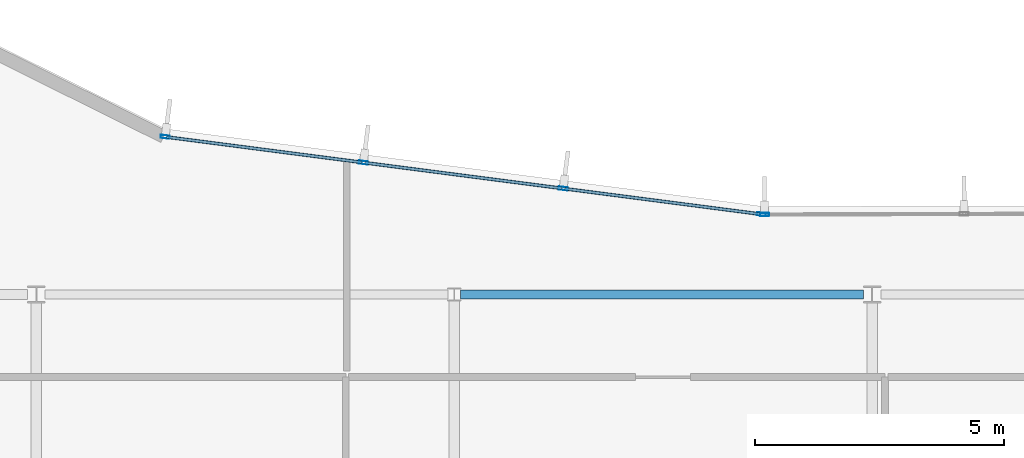
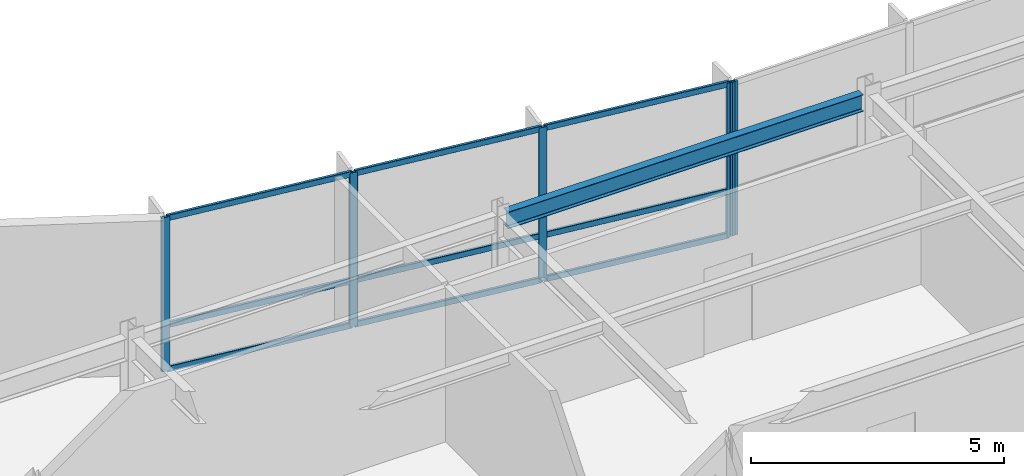
# One storey, part 6 of 15: 14 members, 1 beam, 2 elements without a shape of their own.
"""IFC4 building model written with IfcOpenShell, lengths in metres."""

import ifcopenshell
import ifcopenshell.guid

model = None  # the IFC model being written
_history = None  # IfcOwnerHistory: only IFC2X3 demands one
_inside = {}  # id of a spatial element -> (the spatial element, [elements in it])
_under = {}  # id of a project, library or spatial element -> (it, [spatial elements below it])
_declared = {}  # id of a project -> (the project, [libraries it declares])
_typed = {}  # id of a type object -> (the type object, [elements of that type])
_made_of = {}  # id of a material, layer set ... -> (it, [elements and type objects made of it])


def new_model(schema):
    """Start an empty IFC model of exactly this schema.

    Asked for "IFC4X3", IfcOpenShell would pick the latest addendum, in which some entities
    have other attributes; the version numbers below select the first issue.
    IFC2X3 requires an IfcOwnerHistory on every rooted entity: one is made here for all.
    """
    global model, _history
    if schema == "IFC4X3":
        model = ifcopenshell.file(schema_version=(4, 3, 0, 0))
    else:
        model = ifcopenshell.file(schema=schema)
    _inside.clear()
    _under.clear()
    _declared.clear()
    _typed.clear()
    _made_of.clear()
    _history = None
    if model.schema == "IFC2X3":
        org = make("IfcOrganization", Name="unknown")
        user = make(
            "IfcPersonAndOrganization",
            ThePerson=make("IfcPerson", FamilyName="unknown"),
            TheOrganization=org,
        )
        app = make(
            "IfcApplication",
            ApplicationDeveloper=org,
            Version="unknown",
            ApplicationFullName="unknown",
            ApplicationIdentifier="unknown",
        )
        _history = make(
            "IfcOwnerHistory",
            OwningUser=user,
            OwningApplication=app,
            ChangeAction="ADDED",
            CreationDate=0,
        )
    return model


def make(cls, **values):
    """One entity of the class cls with the attributes given. An attribute that is None is left unset."""
    return model.create_entity(
        cls, **{name: value for name, value in values.items() if value is not None}
    )


def rooted(cls, **values):
    """An entity with a GlobalId (a new one), such as an element, a storey or a relation."""
    return make(cls, GlobalId=ifcopenshell.guid.new(), OwnerHistory=_history, **values)


def si_unit(unit_type, name, prefix=None):
    """IfcSIUnit, for example si_unit("LENGTHUNIT", "METRE", prefix="MILLI")."""
    return make("IfcSIUnit", UnitType=unit_type, Prefix=prefix, Name=name)


def assignment(units):
    """IfcUnitAssignment: the units of a project."""
    return None if units is None else make("IfcUnitAssignment", Units=units)


def point(xyz):
    """IfcCartesianPoint."""
    return None if xyz is None else make("IfcCartesianPoint", Coordinates=xyz)


def direction(xyz):
    """IfcDirection."""
    return None if xyz is None else make("IfcDirection", DirectionRatios=xyz)


def frame(location, z_axis=None, x_axis=None):
    """IfcAxis2Placement3D, a coordinate frame: its origin and axes. An axis left out is left unset."""
    return make(
        "IfcAxis2Placement3D",
        Location=point(location),
        Axis=direction(z_axis),
        RefDirection=direction(x_axis),
    )


def frame_2d(location, x_axis=None):
    """IfcAxis2Placement2D, a coordinate frame in the plane: its origin and x axis."""
    return make(
        "IfcAxis2Placement2D", Location=point(location), RefDirection=direction(x_axis)
    )


def origin():
    """The frame at (0, 0, 0) with its axes left unset."""
    return frame((0.0, 0.0, 0.0))


def origin_2d():
    """The frame at (0, 0) in the plane with its x axis left unset."""
    return frame_2d((0.0, 0.0))


def place(relative_to, where):
    """IfcLocalPlacement: puts the frame where relative to a parent placement (None: the world)."""
    return make(
        "IfcLocalPlacement", PlacementRelTo=relative_to, RelativePlacement=where
    )


def context(
    kind, dimensions, precision=None, world=None, true_north=None, identifier=None
):
    """IfcGeometricRepresentationContext, for example the 3D "Model" context."""
    return make(
        "IfcGeometricRepresentationContext",
        ContextIdentifier=identifier,
        ContextType=kind,
        CoordinateSpaceDimension=dimensions,
        Precision=precision,
        WorldCoordinateSystem=world,
        TrueNorth=true_north,
    )


def subcontext(parent, identifier, kind, view, scale=None):
    """IfcGeometricRepresentationSubContext, for example "Body" below "Model"."""
    return make(
        "IfcGeometricRepresentationSubContext",
        ContextIdentifier=identifier,
        ContextType=kind,
        ParentContext=parent,
        TargetScale=scale,
        TargetView=view,
    )


def project(units=None, contexts=None):
    """IfcProject with its units and contexts."""
    return rooted(
        "IfcProject",
        Name="project",
        RepresentationContexts=contexts,
        UnitsInContext=assignment(units),
    )


def spatial(cls, under=None, at=None, **own):
    """A site, building, storey or space (cls), placed at a placement, below another one or the project."""
    s = rooted(cls, ObjectPlacement=at, **own)
    if under is not None:
        _under.setdefault(under.id(), (under, []))[1].append(s)
    return s


def profile(cls, at=None, kind="AREA", **sizes):
    """A parametric profile (cls). Its sizes go by their IFC names, for example OverallWidth=200.0."""
    return make(cls, ProfileType=kind, Position=at, **sizes)


def hollow_rectangle(**sizes):
    """IfcRectangleHollowProfileDef."""
    return profile("IfcRectangleHollowProfileDef", **sizes)


def i_section(**sizes):
    """IfcIShapeProfileDef."""
    return profile("IfcIShapeProfileDef", **sizes)


def extrude(swept, where, along, depth):
    """IfcExtrudedAreaSolid: the profile swept, set in the frame where, extruded along a direction by depth."""
    return make(
        "IfcExtrudedAreaSolid",
        SweptArea=swept,
        Position=where,
        ExtrudedDirection=direction(along),
        Depth=depth,
    )


def shape(context_of_items, identifier, shape_type, items):
    """IfcShapeRepresentation: the items that make up one representation, for example the "Body"."""
    return make(
        "IfcShapeRepresentation",
        ContextOfItems=context_of_items,
        RepresentationIdentifier=identifier,
        RepresentationType=shape_type,
        Items=items,
    )


def material(Name=None, Category=None):
    """IfcMaterial."""
    return make("IfcMaterial", Name=Name, Category=Category)


def layer(
    of_material, thickness, ventilated=None, Name=None, Category=None, Priority=None
):
    """IfcMaterialLayer: one layer of a wall or slab, of a material (None: an air gap)."""
    return make(
        "IfcMaterialLayer",
        Material=of_material,
        LayerThickness=thickness,
        IsVentilated=ventilated,
        Name=Name,
        Category=Category,
        Priority=Priority,
    )


def layer_set(layers, Name=None):
    """IfcMaterialLayerSet."""
    return make("IfcMaterialLayerSet", MaterialLayers=layers, LayerSetName=Name)


def material_profile(
    of_material, cross_section, Name=None, Category=None, Priority=None
):
    """IfcMaterialProfile: a cross section and its material."""
    return make(
        "IfcMaterialProfile",
        Name=Name,
        Material=of_material,
        Profile=cross_section,
        Priority=Priority,
        Category=Category,
    )


def profile_set(profiles, Name=None, composite=None):
    """IfcMaterialProfileSet."""
    return make(
        "IfcMaterialProfileSet",
        Name=Name,
        MaterialProfiles=profiles,
        CompositeProfile=composite,
    )


def made_of(thing, what):
    """Note that an element or type object is made of a material, layer set ...; save() writes the relation."""
    if what is not None:
        _made_of.setdefault(what.id(), (what, []))[1].append(thing)
    return thing


def type_object(cls, material=None, **own):
    """A type object (cls), such as IfcWallType, which elements share."""
    return made_of(rooted(cls, **own), material)


def element(
    cls,
    number,
    at=None,
    inside=None,
    cuts=None,
    type_object=None,
    material=None,
    context=None,
    identifier="Body",
    shape_type=None,
    held_by="IfcProductDefinitionShape",
    body=None,
    shapes=None,
    **own,
):
    """One element of the class cls, such as IfcWall. Its Tag is "e" and its number.

    at: its placement. inside: the storey or other place that contains it. cuts: it is an
    opening in that element (IfcRelVoidsElement). A single representation is given by context,
    identifier, shape_type and body (its items); several are given by shapes. held_by: the class
    of the entity that holds the representations. save() writes the other relations.
    """
    e = rooted(cls, Tag="e%d" % number, ObjectPlacement=at, **own)
    if body is not None:
        shapes = [shape(context, identifier, shape_type, body)]
    if shapes is not None:
        e.Representation = make(held_by, Representations=shapes)
    if inside is not None:
        _inside.setdefault(inside.id(), (inside, []))[1].append(e)
    if cuts is not None:
        rooted(
            "IfcRelVoidsElement", RelatingBuildingElement=cuts, RelatedOpeningElement=e
        )
    if type_object is not None:
        _typed.setdefault(type_object.id(), (type_object, []))[1].append(e)
    return made_of(e, material)


def aggregate(whole, parts):
    """IfcRelAggregates: a whole, such as a stair, and the parts it consists of."""
    return rooted("IfcRelAggregates", RelatingObject=whole, RelatedObjects=parts)


def save(model, path):
    """Write the relations noted so far, then the file.

    IfcRelAggregates (storeys below a building ...), IfcRelContainedInSpatialStructure (elements
    in a storey), IfcRelDefinesByType, IfcRelAssociatesMaterial and IfcRelDeclares: one each for
    every whole, place, type object, material and project.
    """
    for whole, parts in _under.values():
        aggregate(whole, parts)
    for where, things in _inside.values():
        rooted(
            "IfcRelContainedInSpatialStructure",
            RelatedElements=things,
            RelatingStructure=where,
        )
    for kind, things in _typed.values():
        rooted("IfcRelDefinesByType", RelatedObjects=things, RelatingType=kind)
    for what, things in _made_of.values():
        rooted("IfcRelAssociatesMaterial", RelatedObjects=things, RelatingMaterial=what)
    for by, libraries in _declared.values():
        rooted("IfcRelDeclares", RelatingContext=by, RelatedDefinitions=libraries)
    model.write(path)


model = new_model("IFC4")

# Units and contexts
model_context = context("Model", 3, precision=1e-05, world=origin(), true_north=direction((0.0, 1.0)))
body_context = subcontext(model_context, "Body", "Model", "MODEL_VIEW")
ifc_project = project(units=[si_unit("LENGTHUNIT", "METRE"), si_unit("AREAUNIT", "SQUARE_METRE"), si_unit("VOLUMEUNIT", "CUBIC_METRE"), si_unit("PLANEANGLEUNIT", "RADIAN"), si_unit("MASSUNIT", "GRAM", prefix="KILO")], contexts=[model_context])

# Site, building, storey
site_placement = place(None, origin())
site = spatial("IfcSite", under=ifc_project, at=site_placement, CompositionType="ELEMENT")
building_placement = place(site_placement, origin())
building = spatial("IfcBuilding", under=site, at=building_placement, Name="Varnakote Quay Hospital", CompositionType="ELEMENT")
storey_placement = place(building_placement, frame((0.0, 0.0, 244.699951171875)))
storey = spatial("IfcBuildingStorey", under=building, at=storey_placement, Name="L60", CompositionType="ELEMENT", Elevation=244.699951171875)

# Curtain wall, member
ifc_material_1 = material(Name="Anodised aluminium 6063-T6 Bronze", Category="aluminium")
ifc_layer = layer(ifc_material_1, 0.235107421875)
ifc_layer_set = layer_set([ifc_layer], Name="Anodised aluminium 6063-T6 Bronze")
curtain_wall_type = type_object("IfcCurtainWallType", Name="CW-SYS-5", PredefinedType="NOTDEFINED", material=ifc_layer_set)
curtain_wall_1_placement = place(storey_placement, origin())
curtain_wall_1 = element("IfcCurtainWall", 1, at=curtain_wall_1_placement, inside=storey, type_object=curtain_wall_type, Name="L60 Unitised Bronze Curtain Wall 1", PredefinedType="NOTDEFINED")
ifc_material_2 = material(Name="Anodised aluminium 6063-T6 Bronze", Category="aluminium")
ifc_material_profile_1 = material_profile(ifc_material_2, hollow_rectangle(XDim=0.06494140625, YDim=0.179931640625, WallThickness=0.00390625, InnerFilletRadius=0.00390625, OuterFilletRadius=0.008056640625, at=origin_2d()), Name="CW-MULL-180x65")
ifc_profile_set_1 = profile_set([ifc_material_profile_1], Name="Anodised aluminium 6063-T6 Bronze")
member_type_1 = type_object("IfcMemberType", Name="CW-MULL-180x65", PredefinedType="MULLION", material=ifc_profile_set_1)
member_1_placement = place(storey_placement, frame((31.4384765625, 30.408203125, 0.0), z_axis=(0.0, 0.0, 1.0), x_axis=(0.002604222224, -0.999996609008, 0.0)))
member_1 = element("IfcMember", 2, at=member_1_placement, type_object=member_type_1, Name="-5-L60-1 mullion 4", PredefinedType="MULLION", context=body_context, shape_type="SweptSolid", body=[
    extrude(hollow_rectangle(XDim=0.06494140625, YDim=0.179931640625, WallThickness=0.00390625, InnerFilletRadius=0.00390625, OuterFilletRadius=0.008056640625, at=origin_2d()), origin(), (0.0, 0.0, 1.0), 3.7099609375),
])
aggregate(curtain_wall_1, [member_1])

# Curtain wall, members
curtain_wall_2_placement = place(storey_placement, origin())
curtain_wall_2 = element("IfcCurtainWall", 3, at=curtain_wall_2_placement, inside=storey, type_object=curtain_wall_type, Name="L60 Unitised Bronze Curtain Wall 2", PredefinedType="NOTDEFINED")
member_2_placement = place(storey_placement, frame((31.373779296875, 30.412109375, 0.0), z_axis=(0.0, 0.0, 1.0), x_axis=(-0.128787109389, -0.99167226464, 0.0)))
member_2 = element("IfcMember", 4, at=member_2_placement, type_object=member_type_1, Name="-5-L60-2 mullion 1", PredefinedType="MULLION", context=body_context, shape_type="SweptSolid", body=[
    extrude(hollow_rectangle(XDim=0.06494140625, YDim=0.179931640625, WallThickness=0.00390625, InnerFilletRadius=0.00390625, OuterFilletRadius=0.008056640625, at=origin_2d()), origin(), (0.0, 0.0, 1.0), 3.7099609375),
])
member_3_placement = place(storey_placement, frame((27.3896484375, 30.9296875, 0.0), z_axis=(0.0, 0.0, 1.0), x_axis=(-0.128787109389, -0.99167226464, 0.0)))
member_3 = element("IfcMember", 5, at=member_3_placement, type_object=member_type_1, Name="-5-L60-2 mullion 2", PredefinedType="MULLION", context=body_context, shape_type="SweptSolid", body=[
    extrude(hollow_rectangle(XDim=0.06494140625, YDim=0.179931640625, WallThickness=0.00390625, InnerFilletRadius=0.00390625, OuterFilletRadius=0.008056640625, at=origin_2d()), origin(), (0.0, 0.0, 1.0), 3.7099609375),
])
member_4_placement = place(storey_placement, frame((23.373046875, 31.451171875, 0.0), z_axis=(0.0, 0.0, 1.0), x_axis=(-0.128787109389, -0.99167226464, 0.0)))
member_4 = element("IfcMember", 6, at=member_4_placement, type_object=member_type_1, Name="-5-L60-2 mullion 3", PredefinedType="MULLION", context=body_context, shape_type="SweptSolid", body=[
    extrude(hollow_rectangle(XDim=0.06494140625, YDim=0.179931640625, WallThickness=0.00390625, InnerFilletRadius=0.00390625, OuterFilletRadius=0.008056640625, at=origin_2d()), origin(), (0.0, 0.0, 1.0), 3.7099609375),
])
member_5_placement = place(storey_placement, frame((19.388916015625, 31.968505859375, 0.0), z_axis=(0.0, 0.0, 1.0), x_axis=(-0.128787109389, -0.99167226464, 0.0)))
member_5 = element("IfcMember", 7, at=member_5_placement, type_object=member_type_1, Name="-5-L60-2 mullion 4", PredefinedType="MULLION", context=body_context, shape_type="SweptSolid", body=[
    extrude(hollow_rectangle(XDim=0.06494140625, YDim=0.179931640625, WallThickness=0.00390625, InnerFilletRadius=0.00390625, OuterFilletRadius=0.008056640625, at=origin_2d()), origin(), (0.0, 0.0, 1.0), 3.7099609375),
])
ifc_material_3 = material(Name="Anodised aluminium 6063-T6 Bronze", Category="aluminium")
ifc_material_profile_2 = material_profile(ifc_material_3, hollow_rectangle(XDim=0.06494140625, YDim=0.139892578125, WallThickness=0.00390625, InnerFilletRadius=0.00390625, OuterFilletRadius=0.007568359375, at=origin_2d()), Name="CW-TRAN-140x65")
ifc_profile_set_2 = profile_set([ifc_material_profile_2], Name="Anodised aluminium 6063-T6 Bronze")
member_type_2 = type_object("IfcMemberType", Name="CW-TRAN-140x65", PredefinedType="USERDEFINED", material=ifc_profile_set_2)
member_6_placement = place(storey_placement, frame((31.341552734375, 30.416259765625, 0.032470703125), z_axis=(-0.991672585768, 0.128784636644, 0.0), x_axis=(-0.128784636644, -0.991672585768, 0.0)))
member_6 = element("IfcMember", 8, at=member_6_placement, type_object=member_type_2, Name="-5-L60-2 transom 1.1", ObjectType="TRANSOM", PredefinedType="USERDEFINED", context=body_context, shape_type="SweptSolid", body=[
    extrude(hollow_rectangle(XDim=0.06494140625, YDim=0.139892578125, WallThickness=0.00390625, InnerFilletRadius=0.00390625, OuterFilletRadius=0.007568359375, at=origin_2d()), origin(), (0.0, 0.0, 1.0), 3.95263671875),
])
member_7_placement = place(storey_placement, frame((31.341552734375, 30.416259765625, 1.10009765625), z_axis=(-0.991672585768, 0.128784636644, 0.0), x_axis=(-0.128784636644, -0.991672585768, 0.0)))
member_7 = element("IfcMember", 9, at=member_7_placement, type_object=member_type_2, Name="-5-L60-2 transom 1.2", ObjectType="TRANSOM", PredefinedType="USERDEFINED", context=body_context, shape_type="SweptSolid", body=[
    extrude(hollow_rectangle(XDim=0.06494140625, YDim=0.139892578125, WallThickness=0.00390625, InnerFilletRadius=0.00390625, OuterFilletRadius=0.007568359375, at=origin_2d()), origin(), (0.0, 0.0, 1.0), 3.95263671875),
])
member_8_placement = place(storey_placement, frame((31.341552734375, 30.416259765625, 3.677490234375), z_axis=(-0.991672585768, 0.128784636644, 0.0), x_axis=(-0.128784636644, -0.991672585768, 0.0)))
member_8 = element("IfcMember", 10, at=member_8_placement, type_object=member_type_2, Name="-5-L60-2 transom 1.3", ObjectType="TRANSOM", PredefinedType="USERDEFINED", context=body_context, shape_type="SweptSolid", body=[
    extrude(hollow_rectangle(XDim=0.06494140625, YDim=0.139892578125, WallThickness=0.00390625, InnerFilletRadius=0.00390625, OuterFilletRadius=0.007568359375, at=origin_2d()), origin(), (0.0, 0.0, 1.0), 3.95263671875),
])
member_9_placement = place(storey_placement, frame((27.357421875, 30.933837890625, 0.032470703125), z_axis=(-0.991673699284, 0.128776062019, 0.0), x_axis=(-0.128776062019, -0.991673699284, 0.0)))
member_9 = element("IfcMember", 11, at=member_9_placement, type_object=member_type_2, Name="-5-L60-2 transom 2.1", ObjectType="TRANSOM", PredefinedType="USERDEFINED", context=body_context, shape_type="SweptSolid", body=[
    extrude(hollow_rectangle(XDim=0.06494140625, YDim=0.139892578125, WallThickness=0.00390625, InnerFilletRadius=0.00390625, OuterFilletRadius=0.007568359375, at=origin_2d()), origin(), (0.0, 0.0, 1.0), 3.985107421875),
])
member_10_placement = place(storey_placement, frame((27.357421875, 30.933837890625, 1.10009765625), z_axis=(-0.991673699284, 0.128776062019, 0.0), x_axis=(-0.128776062019, -0.991673699284, 0.0)))
member_10 = element("IfcMember", 12, at=member_10_placement, type_object=member_type_2, Name="-5-L60-2 transom 2.2", ObjectType="TRANSOM", PredefinedType="USERDEFINED", context=body_context, shape_type="SweptSolid", body=[
    extrude(hollow_rectangle(XDim=0.06494140625, YDim=0.139892578125, WallThickness=0.00390625, InnerFilletRadius=0.00390625, OuterFilletRadius=0.007568359375, at=origin_2d()), origin(), (0.0, 0.0, 1.0), 3.985107421875),
])
member_11_placement = place(storey_placement, frame((27.357421875, 30.933837890625, 3.677490234375), z_axis=(-0.991673699284, 0.128776062019, 0.0), x_axis=(-0.128776062019, -0.991673699284, 0.0)))
member_11 = element("IfcMember", 13, at=member_11_placement, type_object=member_type_2, Name="-5-L60-2 transom 2.3", ObjectType="TRANSOM", PredefinedType="USERDEFINED", context=body_context, shape_type="SweptSolid", body=[
    extrude(hollow_rectangle(XDim=0.06494140625, YDim=0.139892578125, WallThickness=0.00390625, InnerFilletRadius=0.00390625, OuterFilletRadius=0.007568359375, at=origin_2d()), origin(), (0.0, 0.0, 1.0), 3.985107421875),
])
member_12_placement = place(storey_placement, frame((23.3408203125, 31.455322265625, 0.032470703125), z_axis=(-0.991672585768, 0.128784636644, 0.0), x_axis=(-0.128784636644, -0.991672585768, 0.0)))
member_12 = element("IfcMember", 14, at=member_12_placement, type_object=member_type_2, Name="-5-L60-2 transom 3.1", ObjectType="TRANSOM", PredefinedType="USERDEFINED", context=body_context, shape_type="SweptSolid", body=[
    extrude(hollow_rectangle(XDim=0.06494140625, YDim=0.139892578125, WallThickness=0.00390625, InnerFilletRadius=0.00390625, OuterFilletRadius=0.007568359375, at=origin_2d()), origin(), (0.0, 0.0, 1.0), 3.95263671875),
])
member_13_placement = place(storey_placement, frame((23.3408203125, 31.455322265625, 1.10009765625), z_axis=(-0.991672585768, 0.128784636644, 0.0), x_axis=(-0.128784636644, -0.991672585768, 0.0)))
member_13 = element("IfcMember", 15, at=member_13_placement, type_object=member_type_2, Name="-5-L60-2 transom 3.2", ObjectType="TRANSOM", PredefinedType="USERDEFINED", context=body_context, shape_type="SweptSolid", body=[
    extrude(hollow_rectangle(XDim=0.06494140625, YDim=0.139892578125, WallThickness=0.00390625, InnerFilletRadius=0.00390625, OuterFilletRadius=0.007568359375, at=origin_2d()), origin(), (0.0, 0.0, 1.0), 3.95263671875),
])
member_14_placement = place(storey_placement, frame((23.3408203125, 31.455322265625, 3.677490234375), z_axis=(-0.991672585768, 0.128784636644, 0.0), x_axis=(-0.128784636644, -0.991672585768, 0.0)))
member_14 = element("IfcMember", 16, at=member_14_placement, type_object=member_type_2, Name="-5-L60-2 transom 3.3", ObjectType="TRANSOM", PredefinedType="USERDEFINED", context=body_context, shape_type="SweptSolid", body=[
    extrude(hollow_rectangle(XDim=0.06494140625, YDim=0.139892578125, WallThickness=0.00390625, InnerFilletRadius=0.00390625, OuterFilletRadius=0.007568359375, at=origin_2d()), origin(), (0.0, 0.0, 1.0), 3.95263671875),
])
aggregate(curtain_wall_2, [member_2, member_3, member_4, member_5, member_6, member_7, member_8, member_9, member_10, member_11, member_12, member_13, member_14])

# Beam
ifc_material_4 = material(Name="Structural steel AS/NZS 3679.1 Grade 350 L0 (fy 340 MPa)", Category="steel")
ifc_material_profile_3 = material_profile(ifc_material_4, i_section(OverallWidth=0.177978515625, OverallDepth=0.406005859375, WebThickness=0.0078125, FlangeThickness=0.0126953125, FilletRadius=0.011474609375, at=origin_2d()), Name="410UB59.7")
ifc_profile_set_3 = profile_set([ifc_material_profile_3], Name="Structural steel AS/NZS 3679.1 Grade 350 L0 (fy 340 MPa)")
beam_type = type_object("IfcBeamType", Name="SPN-STL-410UB59-7", PredefinedType="SPANDREL", material=ifc_profile_set_3)
beam_placement = place(storey_placement, frame((25.326904296875, 28.800048828125, 3.507080078125), z_axis=(1.0, 0.0, 0.0), x_axis=(0.0, 1.0, 0.0)))
element("IfcBeam", 17, at=beam_placement, inside=storey, type_object=beam_type, Name="L60 Perimeter Spandrel Beam", PredefinedType="SPANDREL", context=body_context, shape_type="SweptSolid", body=[
    extrude(i_section(OverallWidth=0.177978515625, OverallDepth=0.406005859375, WebThickness=0.0078125, FlangeThickness=0.0126953125, FilletRadius=0.011474609375, at=origin_2d()), origin(), (0.0, 0.0, 1.0), 8.09814453125),
])

save(model, "model.ifc")
